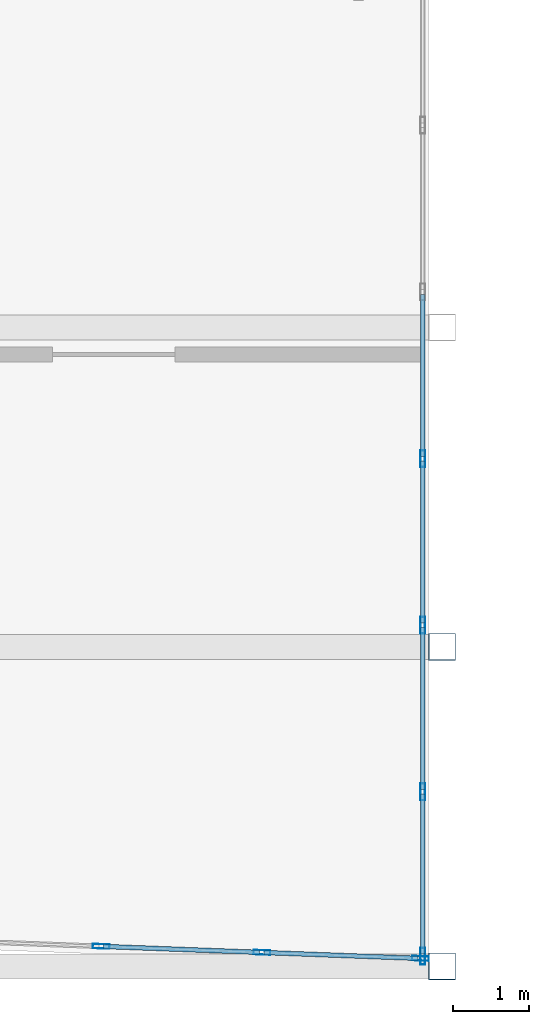
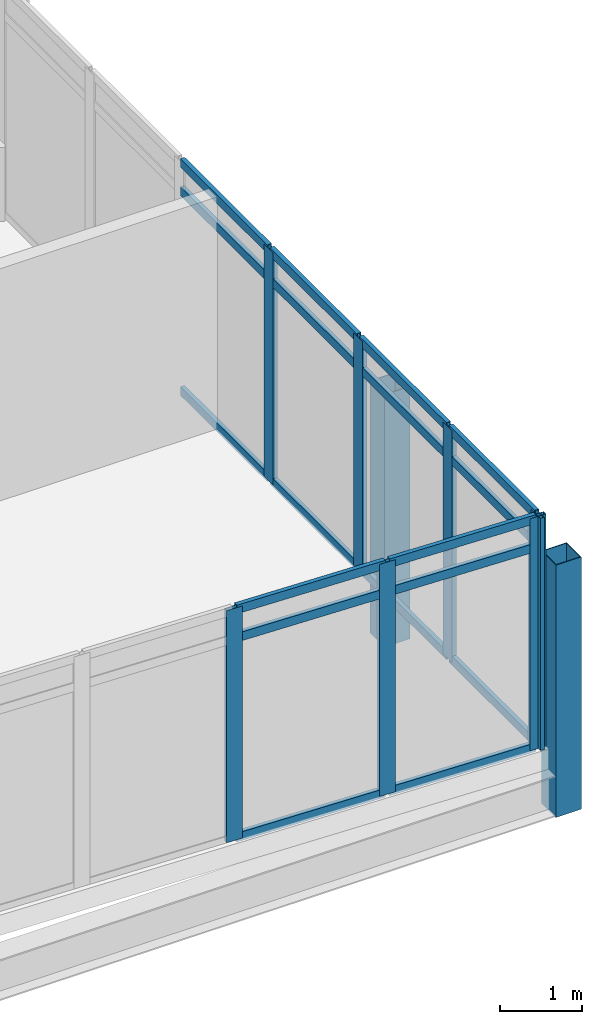
# One storey, part 6 of 37: 27 members, 2 elements without a shape of their own.
"""IFC4 building model written with IfcOpenShell, lengths in metres."""

import ifcopenshell
import ifcopenshell.guid

model = None  # the IFC model being written
_history = None  # IfcOwnerHistory: only IFC2X3 demands one
_inside = {}  # id of a spatial element -> (the spatial element, [elements in it])
_under = {}  # id of a project, library or spatial element -> (it, [spatial elements below it])
_declared = {}  # id of a project -> (the project, [libraries it declares])
_typed = {}  # id of a type object -> (the type object, [elements of that type])
_made_of = {}  # id of a material, layer set ... -> (it, [elements and type objects made of it])


def new_model(schema):
    """Start an empty IFC model of exactly this schema.

    Asked for "IFC4X3", IfcOpenShell would pick the latest addendum, in which some entities
    have other attributes; the version numbers below select the first issue.
    IFC2X3 requires an IfcOwnerHistory on every rooted entity: one is made here for all.
    """
    global model, _history
    if schema == "IFC4X3":
        model = ifcopenshell.file(schema_version=(4, 3, 0, 0))
    else:
        model = ifcopenshell.file(schema=schema)
    _inside.clear()
    _under.clear()
    _declared.clear()
    _typed.clear()
    _made_of.clear()
    _history = None
    if model.schema == "IFC2X3":
        org = make("IfcOrganization", Name="unknown")
        user = make(
            "IfcPersonAndOrganization",
            ThePerson=make("IfcPerson", FamilyName="unknown"),
            TheOrganization=org,
        )
        app = make(
            "IfcApplication",
            ApplicationDeveloper=org,
            Version="unknown",
            ApplicationFullName="unknown",
            ApplicationIdentifier="unknown",
        )
        _history = make(
            "IfcOwnerHistory",
            OwningUser=user,
            OwningApplication=app,
            ChangeAction="ADDED",
            CreationDate=0,
        )
    return model


def make(cls, **values):
    """One entity of the class cls with the attributes given. An attribute that is None is left unset."""
    return model.create_entity(
        cls, **{name: value for name, value in values.items() if value is not None}
    )


def rooted(cls, **values):
    """An entity with a GlobalId (a new one), such as an element, a storey or a relation."""
    return make(cls, GlobalId=ifcopenshell.guid.new(), OwnerHistory=_history, **values)


def si_unit(unit_type, name, prefix=None):
    """IfcSIUnit, for example si_unit("LENGTHUNIT", "METRE", prefix="MILLI")."""
    return make("IfcSIUnit", UnitType=unit_type, Prefix=prefix, Name=name)


def assignment(units):
    """IfcUnitAssignment: the units of a project."""
    return None if units is None else make("IfcUnitAssignment", Units=units)


def point(xyz):
    """IfcCartesianPoint."""
    return None if xyz is None else make("IfcCartesianPoint", Coordinates=xyz)


def direction(xyz):
    """IfcDirection."""
    return None if xyz is None else make("IfcDirection", DirectionRatios=xyz)


def frame(location, z_axis=None, x_axis=None):
    """IfcAxis2Placement3D, a coordinate frame: its origin and axes. An axis left out is left unset."""
    return make(
        "IfcAxis2Placement3D",
        Location=point(location),
        Axis=direction(z_axis),
        RefDirection=direction(x_axis),
    )


def frame_2d(location, x_axis=None):
    """IfcAxis2Placement2D, a coordinate frame in the plane: its origin and x axis."""
    return make(
        "IfcAxis2Placement2D", Location=point(location), RefDirection=direction(x_axis)
    )


def origin():
    """The frame at (0, 0, 0) with its axes left unset."""
    return frame((0.0, 0.0, 0.0))


def origin_2d():
    """The frame at (0, 0) in the plane with its x axis left unset."""
    return frame_2d((0.0, 0.0))


def place(relative_to, where):
    """IfcLocalPlacement: puts the frame where relative to a parent placement (None: the world)."""
    return make(
        "IfcLocalPlacement", PlacementRelTo=relative_to, RelativePlacement=where
    )


def context(
    kind, dimensions, precision=None, world=None, true_north=None, identifier=None
):
    """IfcGeometricRepresentationContext, for example the 3D "Model" context."""
    return make(
        "IfcGeometricRepresentationContext",
        ContextIdentifier=identifier,
        ContextType=kind,
        CoordinateSpaceDimension=dimensions,
        Precision=precision,
        WorldCoordinateSystem=world,
        TrueNorth=true_north,
    )


def subcontext(parent, identifier, kind, view, scale=None):
    """IfcGeometricRepresentationSubContext, for example "Body" below "Model"."""
    return make(
        "IfcGeometricRepresentationSubContext",
        ContextIdentifier=identifier,
        ContextType=kind,
        ParentContext=parent,
        TargetScale=scale,
        TargetView=view,
    )


def project(units=None, contexts=None):
    """IfcProject with its units and contexts."""
    return rooted(
        "IfcProject",
        Name="project",
        RepresentationContexts=contexts,
        UnitsInContext=assignment(units),
    )


def spatial(cls, under=None, at=None, **own):
    """A site, building, storey or space (cls), placed at a placement, below another one or the project."""
    s = rooted(cls, ObjectPlacement=at, **own)
    if under is not None:
        _under.setdefault(under.id(), (under, []))[1].append(s)
    return s


def profile(cls, at=None, kind="AREA", **sizes):
    """A parametric profile (cls). Its sizes go by their IFC names, for example OverallWidth=200.0."""
    return make(cls, ProfileType=kind, Position=at, **sizes)


def hollow_rectangle(**sizes):
    """IfcRectangleHollowProfileDef."""
    return profile("IfcRectangleHollowProfileDef", **sizes)


def extrude(swept, where, along, depth):
    """IfcExtrudedAreaSolid: the profile swept, set in the frame where, extruded along a direction by depth."""
    return make(
        "IfcExtrudedAreaSolid",
        SweptArea=swept,
        Position=where,
        ExtrudedDirection=direction(along),
        Depth=depth,
    )


def shape(context_of_items, identifier, shape_type, items):
    """IfcShapeRepresentation: the items that make up one representation, for example the "Body"."""
    return make(
        "IfcShapeRepresentation",
        ContextOfItems=context_of_items,
        RepresentationIdentifier=identifier,
        RepresentationType=shape_type,
        Items=items,
    )


def material(Name=None, Category=None):
    """IfcMaterial."""
    return make("IfcMaterial", Name=Name, Category=Category)


def material_profile(
    of_material, cross_section, Name=None, Category=None, Priority=None
):
    """IfcMaterialProfile: a cross section and its material."""
    return make(
        "IfcMaterialProfile",
        Name=Name,
        Material=of_material,
        Profile=cross_section,
        Priority=Priority,
        Category=Category,
    )


def profile_set(profiles, Name=None, composite=None):
    """IfcMaterialProfileSet."""
    return make(
        "IfcMaterialProfileSet",
        Name=Name,
        MaterialProfiles=profiles,
        CompositeProfile=composite,
    )


def made_of(thing, what):
    """Note that an element or type object is made of a material, layer set ...; save() writes the relation."""
    if what is not None:
        _made_of.setdefault(what.id(), (what, []))[1].append(thing)
    return thing


def type_object(cls, material=None, **own):
    """A type object (cls), such as IfcWallType, which elements share."""
    return made_of(rooted(cls, **own), material)


def element(
    cls,
    number,
    at=None,
    inside=None,
    cuts=None,
    type_object=None,
    material=None,
    context=None,
    identifier="Body",
    shape_type=None,
    held_by="IfcProductDefinitionShape",
    body=None,
    shapes=None,
    **own,
):
    """One element of the class cls, such as IfcWall. Its Tag is "e" and its number.

    at: its placement. inside: the storey or other place that contains it. cuts: it is an
    opening in that element (IfcRelVoidsElement). A single representation is given by context,
    identifier, shape_type and body (its items); several are given by shapes. held_by: the class
    of the entity that holds the representations. save() writes the other relations.
    """
    e = rooted(cls, Tag="e%d" % number, ObjectPlacement=at, **own)
    if body is not None:
        shapes = [shape(context, identifier, shape_type, body)]
    if shapes is not None:
        e.Representation = make(held_by, Representations=shapes)
    if inside is not None:
        _inside.setdefault(inside.id(), (inside, []))[1].append(e)
    if cuts is not None:
        rooted(
            "IfcRelVoidsElement", RelatingBuildingElement=cuts, RelatedOpeningElement=e
        )
    if type_object is not None:
        _typed.setdefault(type_object.id(), (type_object, []))[1].append(e)
    return made_of(e, material)


def aggregate(whole, parts):
    """IfcRelAggregates: a whole, such as a stair, and the parts it consists of."""
    return rooted("IfcRelAggregates", RelatingObject=whole, RelatedObjects=parts)


def save(model, path):
    """Write the relations noted so far, then the file.

    IfcRelAggregates (storeys below a building ...), IfcRelContainedInSpatialStructure (elements
    in a storey), IfcRelDefinesByType, IfcRelAssociatesMaterial and IfcRelDeclares: one each for
    every whole, place, type object, material and project.
    """
    for whole, parts in _under.values():
        aggregate(whole, parts)
    for where, things in _inside.values():
        rooted(
            "IfcRelContainedInSpatialStructure",
            RelatedElements=things,
            RelatingStructure=where,
        )
    for kind, things in _typed.values():
        rooted("IfcRelDefinesByType", RelatedObjects=things, RelatingType=kind)
    for what, things in _made_of.values():
        rooted("IfcRelAssociatesMaterial", RelatedObjects=things, RelatingMaterial=what)
    for by, libraries in _declared.values():
        rooted("IfcRelDeclares", RelatingContext=by, RelatedDefinitions=libraries)
    model.write(path)


model = new_model("IFC4")

# Units and contexts
model_context = context("Model", 3, precision=1e-05, world=origin(), true_north=direction((0.0, 1.0)))
body_context = subcontext(model_context, "Body", "Model", "MODEL_VIEW")
ifc_project = project(units=[si_unit("LENGTHUNIT", "METRE"), si_unit("AREAUNIT", "SQUARE_METRE"), si_unit("VOLUMEUNIT", "CUBIC_METRE"), si_unit("PLANEANGLEUNIT", "RADIAN"), si_unit("MASSUNIT", "GRAM", prefix="KILO")], contexts=[model_context])

# Site, building, storey
site_placement = place(None, origin())
site = spatial("IfcSite", under=ifc_project, at=site_placement, CompositionType="ELEMENT")
building_placement = place(site_placement, origin())
building = spatial("IfcBuilding", under=site, at=building_placement, Name="Ostrander Bayou Hotel Tower", CompositionType="ELEMENT")
storey_placement = place(building_placement, frame((0.0, 0.0, 225.75)))
storey = spatial("IfcBuildingStorey", under=building, at=storey_placement, Name="L56", CompositionType="ELEMENT", Elevation=225.75)

# Curtain wall, members
ifc_material_1 = material(Name="Aluminium and clear glass", Category="aluminium")
curtain_wall_type = type_object("IfcCurtainWallType", Name="CW-BAR glazed wall", PredefinedType="NOTDEFINED", material=ifc_material_1)
curtain_wall_1_placement = place(storey_placement, origin())
curtain_wall_1 = element("IfcCurtainWall", 1, at=curtain_wall_1_placement, inside=storey, type_object=curtain_wall_type, Name="CW-BAR L56:SB5S:T", PredefinedType="NOTDEFINED")
ifc_material_2 = material(Name="Aluminium", Category="aluminium")
ifc_material_profile_1 = material_profile(ifc_material_2, hollow_rectangle(XDim=0.06005859375, YDim=0.219970703125, WallThickness=0.00390625, at=origin_2d()))
ifc_profile_set_1 = profile_set([ifc_material_profile_1], Name="Aluminium")
member_type_1 = type_object("IfcMemberType", Name="CW-BR mullion 60 x 220 mm", PredefinedType="MULLION", material=ifc_profile_set_1)
member_1_placement = place(storey_placement, frame((6.307373046875, -29.23828125, 0.0), z_axis=(0.0, 0.0, 1.0), x_axis=(0.037757725854, 0.99928692283, 0.0)))
member_1 = element("IfcMember", 2, at=member_1_placement, type_object=member_type_1, Name="CW-BAR mullion 9", PredefinedType="MULLION", context=body_context, shape_type="SweptSolid", body=[
    extrude(hollow_rectangle(XDim=0.06005859375, YDim=0.219970703125, WallThickness=0.00390625, at=origin_2d()), origin(), (0.0, 0.0, 1.0), 3.449951171875),
])
member_2_placement = place(storey_placement, frame((8.40966796875, -29.31787109375, 0.0), z_axis=(0.0, 0.0, 1.0), x_axis=(0.037757725854, 0.99928692283, 0.0)))
member_2 = element("IfcMember", 3, at=member_2_placement, type_object=member_type_1, Name="CW-BAR mullion 10", PredefinedType="MULLION", context=body_context, shape_type="SweptSolid", body=[
    extrude(hollow_rectangle(XDim=0.06005859375, YDim=0.219970703125, WallThickness=0.00390625, at=origin_2d()), origin(), (0.0, 0.0, 1.0), 3.449951171875),
])
member_3_placement = place(storey_placement, frame((10.482177734375, -29.39599609375, 0.0), z_axis=(0.0, 0.0, 1.0), x_axis=(0.037757725854, 0.99928692283, 0.0)))
member_3 = element("IfcMember", 4, at=member_3_placement, type_object=member_type_1, Name="CW-BAR mullion 11", PredefinedType="MULLION", context=body_context, shape_type="SweptSolid", body=[
    extrude(hollow_rectangle(XDim=0.06005859375, YDim=0.219970703125, WallThickness=0.00390625, at=origin_2d()), origin(), (0.0, 0.0, 1.0), 3.449951171875),
])

curtain_wall_2_placement = place(storey_placement, origin())
curtain_wall_2 = element("IfcCurtainWall", 5, at=curtain_wall_2_placement, inside=storey, type_object=curtain_wall_type, Name="CW-BAR L56:SB5S:W", PredefinedType="NOTDEFINED")
member_4_placement = place(storey_placement, frame((10.51220703125, -22.8623046875, 0.0), z_axis=(0.0, 0.0, 1.0), x_axis=(1.0, 0.0, 0.0)))
member_4 = element("IfcMember", 6, at=member_4_placement, type_object=member_type_1, Name="CW-BAR mullion 7", PredefinedType="MULLION", context=body_context, shape_type="SweptSolid", body=[
    extrude(hollow_rectangle(XDim=0.06005859375, YDim=0.219970703125, WallThickness=0.00390625, at=origin_2d()), origin(), (0.0, 0.0, 1.0), 3.449951171875),
])
member_5_placement = place(storey_placement, frame((10.51220703125, -25.04052734375, 0.0), z_axis=(0.0, 0.0, 1.0), x_axis=(1.0, 0.0, 0.0)))
member_5 = element("IfcMember", 7, at=member_5_placement, type_object=member_type_1, Name="CW-BAR mullion 8", PredefinedType="MULLION", context=body_context, shape_type="SweptSolid", body=[
    extrude(hollow_rectangle(XDim=0.06005859375, YDim=0.219970703125, WallThickness=0.00390625, at=origin_2d()), origin(), (0.0, 0.0, 1.0), 3.449951171875),
])
member_6_placement = place(storey_placement, frame((10.51220703125, -27.218994140625, 0.0), z_axis=(0.0, 0.0, 1.0), x_axis=(1.0, 0.0, 0.0)))
member_6 = element("IfcMember", 8, at=member_6_placement, type_object=member_type_1, Name="CW-BAR mullion 9", PredefinedType="MULLION", context=body_context, shape_type="SweptSolid", body=[
    extrude(hollow_rectangle(XDim=0.06005859375, YDim=0.219970703125, WallThickness=0.00390625, at=origin_2d()), origin(), (0.0, 0.0, 1.0), 3.449951171875),
])
member_7_placement = place(storey_placement, frame((10.51220703125, -29.3671875, 0.0), z_axis=(0.0, 0.0, 1.0), x_axis=(1.0, 0.0, 0.0)))
member_7 = element("IfcMember", 9, at=member_7_placement, type_object=member_type_1, Name="CW-BAR mullion 10", PredefinedType="MULLION", context=body_context, shape_type="SweptSolid", body=[
    extrude(hollow_rectangle(XDim=0.06005859375, YDim=0.219970703125, WallThickness=0.00390625, at=origin_2d()), origin(), (0.0, 0.0, 1.0), 3.449951171875),
])

# Member
ifc_material_3 = material(Name="Aluminium", Category="aluminium")
ifc_material_profile_2 = material_profile(ifc_material_3, hollow_rectangle(XDim=0.06005859375, YDim=0.1298828125, WallThickness=0.00390625, at=origin_2d()))
ifc_profile_set_2 = profile_set([ifc_material_profile_2], Name="Aluminium")
member_type_2 = type_object("IfcMemberType", Name="CW-BR transom 60 x 130 mm", PredefinedType="USERDEFINED", material=ifc_profile_set_2)
member_8_placement = place(storey_placement, frame((6.33740234375, -29.239501953125, 0.030029296875), z_axis=(0.999287402917, -0.037745017849, 0.0), x_axis=(0.037745017849, 0.999287402917, 0.0)))
member_8 = element("IfcMember", 10, at=member_8_placement, type_object=member_type_2, Name="CW-BAR transom 9.1", ObjectType="TRANSOM", PredefinedType="USERDEFINED", context=body_context, shape_type="SweptSolid", body=[
    extrude(hollow_rectangle(XDim=0.06005859375, YDim=0.1298828125, WallThickness=0.00390625, at=origin_2d()), origin(), (0.0, 0.0, 1.0), 2.0439453125),
])

member_9_placement = place(storey_placement, frame((6.33740234375, -29.239501953125, 3.0), z_axis=(0.999287402917, -0.037745017849, 0.0), x_axis=(0.037745017849, 0.999287402917, 0.0)))
member_9 = element("IfcMember", 11, at=member_9_placement, type_object=member_type_2, Name="CW-BAR transom 9.2", ObjectType="TRANSOM", PredefinedType="USERDEFINED", context=body_context, shape_type="SweptSolid", body=[
    extrude(hollow_rectangle(XDim=0.06005859375, YDim=0.1298828125, WallThickness=0.00390625, at=origin_2d()), origin(), (0.0, 0.0, 1.0), 2.0439453125),
])

member_10_placement = place(storey_placement, frame((6.33740234375, -29.239501953125, 3.419921875), z_axis=(0.999287402917, -0.037745017849, 0.0), x_axis=(0.037745017849, 0.999287402917, 0.0)))
member_10 = element("IfcMember", 12, at=member_10_placement, type_object=member_type_2, Name="CW-BAR transom 9.3", ObjectType="TRANSOM", PredefinedType="USERDEFINED", context=body_context, shape_type="SweptSolid", body=[
    extrude(hollow_rectangle(XDim=0.06005859375, YDim=0.1298828125, WallThickness=0.00390625, at=origin_2d()), origin(), (0.0, 0.0, 1.0), 2.0439453125),
])

member_11_placement = place(storey_placement, frame((8.439697265625, -29.31884765625, 0.030029296875), z_axis=(0.999284446259, -0.0378232133, 0.0), x_axis=(0.0378232133, 0.999284446259, 0.0)))
member_11 = element("IfcMember", 13, at=member_11_placement, type_object=member_type_2, Name="CW-BAR transom 10.1", ObjectType="TRANSOM", PredefinedType="USERDEFINED", context=body_context, shape_type="SweptSolid", body=[
    extrude(hollow_rectangle(XDim=0.06005859375, YDim=0.1298828125, WallThickness=0.00390625, at=origin_2d()), origin(), (0.0, 0.0, 1.0), 2.013916015625),
])

member_12_placement = place(storey_placement, frame((8.439697265625, -29.31884765625, 3.0), z_axis=(0.999284446259, -0.0378232133, 0.0), x_axis=(0.0378232133, 0.999284446259, 0.0)))
member_12 = element("IfcMember", 14, at=member_12_placement, type_object=member_type_2, Name="CW-BAR transom 10.2", ObjectType="TRANSOM", PredefinedType="USERDEFINED", context=body_context, shape_type="SweptSolid", body=[
    extrude(hollow_rectangle(XDim=0.06005859375, YDim=0.1298828125, WallThickness=0.00390625, at=origin_2d()), origin(), (0.0, 0.0, 1.0), 2.013916015625),
])

member_13_placement = place(storey_placement, frame((8.439697265625, -29.31884765625, 3.419921875), z_axis=(0.999284446259, -0.0378232133, 0.0), x_axis=(0.0378232133, 0.999284446259, 0.0)))
member_13 = element("IfcMember", 15, at=member_13_placement, type_object=member_type_2, Name="CW-BAR transom 10.3", ObjectType="TRANSOM", PredefinedType="USERDEFINED", context=body_context, shape_type="SweptSolid", body=[
    extrude(hollow_rectangle(XDim=0.06005859375, YDim=0.1298828125, WallThickness=0.00390625, at=origin_2d()), origin(), (0.0, 0.0, 1.0), 2.013916015625),
])

aggregate(curtain_wall_1, [member_1, member_2, member_3, member_8, member_9, member_10, member_11, member_12, member_13])

member_14_placement = place(storey_placement, frame((10.51220703125, -20.7138671875, 0.030029296875), z_axis=(0.0, -1.0, 0.0), x_axis=(1.0, 0.0, 0.0)))
member_14 = element("IfcMember", 16, at=member_14_placement, type_object=member_type_2, Name="CW-BAR transom 6.1", ObjectType="TRANSOM", PredefinedType="USERDEFINED", context=body_context, shape_type="SweptSolid", body=[
    extrude(hollow_rectangle(XDim=0.06005859375, YDim=0.1298828125, WallThickness=0.00390625, at=origin_2d()), origin(), (0.0, 0.0, 1.0), 2.118408203125),
])

member_15_placement = place(storey_placement, frame((10.51220703125, -20.7138671875, 3.0), z_axis=(0.0, -1.0, 0.0), x_axis=(1.0, 0.0, 0.0)))
member_15 = element("IfcMember", 17, at=member_15_placement, type_object=member_type_2, Name="CW-BAR transom 6.2", ObjectType="TRANSOM", PredefinedType="USERDEFINED", context=body_context, shape_type="SweptSolid", body=[
    extrude(hollow_rectangle(XDim=0.06005859375, YDim=0.1298828125, WallThickness=0.00390625, at=origin_2d()), origin(), (0.0, 0.0, 1.0), 2.118408203125),
])

member_16_placement = place(storey_placement, frame((10.51220703125, -20.7138671875, 3.419921875), z_axis=(0.0, -1.0, 0.0), x_axis=(1.0, 0.0, 0.0)))
member_16 = element("IfcMember", 18, at=member_16_placement, type_object=member_type_2, Name="CW-BAR transom 6.3", ObjectType="TRANSOM", PredefinedType="USERDEFINED", context=body_context, shape_type="SweptSolid", body=[
    extrude(hollow_rectangle(XDim=0.06005859375, YDim=0.1298828125, WallThickness=0.00390625, at=origin_2d()), origin(), (0.0, 0.0, 1.0), 2.118408203125),
])

member_17_placement = place(storey_placement, frame((10.51220703125, -22.892333984375, 0.030029296875), z_axis=(0.0, -1.0, 0.0), x_axis=(1.0, 0.0, 0.0)))
member_17 = element("IfcMember", 19, at=member_17_placement, type_object=member_type_2, Name="CW-BAR transom 7.1", ObjectType="TRANSOM", PredefinedType="USERDEFINED", context=body_context, shape_type="SweptSolid", body=[
    extrude(hollow_rectangle(XDim=0.06005859375, YDim=0.1298828125, WallThickness=0.00390625, at=origin_2d()), origin(), (0.0, 0.0, 1.0), 2.1181640625),
])

member_18_placement = place(storey_placement, frame((10.51220703125, -22.892333984375, 3.0), z_axis=(0.0, -1.0, 0.0), x_axis=(1.0, 0.0, 0.0)))
member_18 = element("IfcMember", 20, at=member_18_placement, type_object=member_type_2, Name="CW-BAR transom 7.2", ObjectType="TRANSOM", PredefinedType="USERDEFINED", context=body_context, shape_type="SweptSolid", body=[
    extrude(hollow_rectangle(XDim=0.06005859375, YDim=0.1298828125, WallThickness=0.00390625, at=origin_2d()), origin(), (0.0, 0.0, 1.0), 2.1181640625),
])

member_19_placement = place(storey_placement, frame((10.51220703125, -22.892333984375, 3.419921875), z_axis=(0.0, -1.0, 0.0), x_axis=(1.0, 0.0, 0.0)))
member_19 = element("IfcMember", 21, at=member_19_placement, type_object=member_type_2, Name="CW-BAR transom 7.3", ObjectType="TRANSOM", PredefinedType="USERDEFINED", context=body_context, shape_type="SweptSolid", body=[
    extrude(hollow_rectangle(XDim=0.06005859375, YDim=0.1298828125, WallThickness=0.00390625, at=origin_2d()), origin(), (0.0, 0.0, 1.0), 2.1181640625),
])

member_20_placement = place(storey_placement, frame((10.51220703125, -25.070556640625, 0.030029296875), z_axis=(0.0, -1.0, 0.0), x_axis=(1.0, 0.0, 0.0)))
member_20 = element("IfcMember", 22, at=member_20_placement, type_object=member_type_2, Name="CW-BAR transom 8.1", ObjectType="TRANSOM", PredefinedType="USERDEFINED", context=body_context, shape_type="SweptSolid", body=[
    extrude(hollow_rectangle(XDim=0.06005859375, YDim=0.1298828125, WallThickness=0.00390625, at=origin_2d()), origin(), (0.0, 0.0, 1.0), 2.118408203125),
])

member_21_placement = place(storey_placement, frame((10.51220703125, -25.070556640625, 3.0), z_axis=(0.0, -1.0, 0.0), x_axis=(1.0, 0.0, 0.0)))
member_21 = element("IfcMember", 23, at=member_21_placement, type_object=member_type_2, Name="CW-BAR transom 8.2", ObjectType="TRANSOM", PredefinedType="USERDEFINED", context=body_context, shape_type="SweptSolid", body=[
    extrude(hollow_rectangle(XDim=0.06005859375, YDim=0.1298828125, WallThickness=0.00390625, at=origin_2d()), origin(), (0.0, 0.0, 1.0), 2.118408203125),
])

member_22_placement = place(storey_placement, frame((10.51220703125, -25.070556640625, 3.419921875), z_axis=(0.0, -1.0, 0.0), x_axis=(1.0, 0.0, 0.0)))
member_22 = element("IfcMember", 24, at=member_22_placement, type_object=member_type_2, Name="CW-BAR transom 8.3", ObjectType="TRANSOM", PredefinedType="USERDEFINED", context=body_context, shape_type="SweptSolid", body=[
    extrude(hollow_rectangle(XDim=0.06005859375, YDim=0.1298828125, WallThickness=0.00390625, at=origin_2d()), origin(), (0.0, 0.0, 1.0), 2.118408203125),
])

member_23_placement = place(storey_placement, frame((10.51220703125, -27.248779296875, 0.030029296875), z_axis=(0.0, -1.0, 0.0), x_axis=(1.0, 0.0, 0.0)))
member_23 = element("IfcMember", 25, at=member_23_placement, type_object=member_type_2, Name="CW-BAR transom 9.1", ObjectType="TRANSOM", PredefinedType="USERDEFINED", context=body_context, shape_type="SweptSolid", body=[
    extrude(hollow_rectangle(XDim=0.06005859375, YDim=0.1298828125, WallThickness=0.00390625, at=origin_2d()), origin(), (0.0, 0.0, 1.0), 2.08837890625),
])

member_24_placement = place(storey_placement, frame((10.51220703125, -27.248779296875, 3.0), z_axis=(0.0, -1.0, 0.0), x_axis=(1.0, 0.0, 0.0)))
member_24 = element("IfcMember", 26, at=member_24_placement, type_object=member_type_2, Name="CW-BAR transom 9.2", ObjectType="TRANSOM", PredefinedType="USERDEFINED", context=body_context, shape_type="SweptSolid", body=[
    extrude(hollow_rectangle(XDim=0.06005859375, YDim=0.1298828125, WallThickness=0.00390625, at=origin_2d()), origin(), (0.0, 0.0, 1.0), 2.08837890625),
])

member_25_placement = place(storey_placement, frame((10.51220703125, -27.248779296875, 3.419921875), z_axis=(0.0, -1.0, 0.0), x_axis=(1.0, 0.0, 0.0)))
member_25 = element("IfcMember", 27, at=member_25_placement, type_object=member_type_2, Name="CW-BAR transom 9.3", ObjectType="TRANSOM", PredefinedType="USERDEFINED", context=body_context, shape_type="SweptSolid", body=[
    extrude(hollow_rectangle(XDim=0.06005859375, YDim=0.1298828125, WallThickness=0.00390625, at=origin_2d()), origin(), (0.0, 0.0, 1.0), 2.08837890625),
])

aggregate(curtain_wall_2, [member_4, member_5, member_6, member_7, member_14, member_15, member_16, member_17, member_18, member_19, member_20, member_21, member_22, member_23, member_24, member_25])

# Members
ifc_material_4 = material(Name="Steel ASTM A500 Gr C", Category="steel")
ifc_material_profile_3 = material_profile(ifc_material_4, hollow_rectangle(XDim=0.355712890625, YDim=0.355712890625, WallThickness=0.01171875, at=origin_2d()))
ifc_profile_set_3 = profile_set([ifc_material_profile_3], Name="Steel ASTM A500 Gr C")
member_type_3 = type_object("IfcMemberType", Name="TH2 bar hanger HSS14x14x1/2", PredefinedType="POST", material=ifc_profile_set_3)
for number, where, z_axis, x_axis, name in (
    (28, (10.764892578125, -25.32373046875, -0.9111328125), (0.0, 0.0, 1.0), (1.0, 0.0, 0.0), "TH2 SB5SB H2-2"),
    (29, (10.764892578125, -29.5, -0.9111328125), (0.0, 0.0, 1.0), (1.0, 0.0, 0.0), "TH2 SB5SB H3-2"),
):
    element("IfcMember", number, at=place(storey_placement, frame(where, z_axis=z_axis, x_axis=x_axis)), inside=storey, type_object=member_type_3, Name=name, PredefinedType="POST", context=body_context, shape_type="SweptSolid", body=[
        extrude(hollow_rectangle(XDim=0.355712890625, YDim=0.355712890625, WallThickness=0.01171875, at=origin_2d()), origin(), (0.0, 0.0, 1.0), 3.75),
    ])

save(model, "model.ifc")
